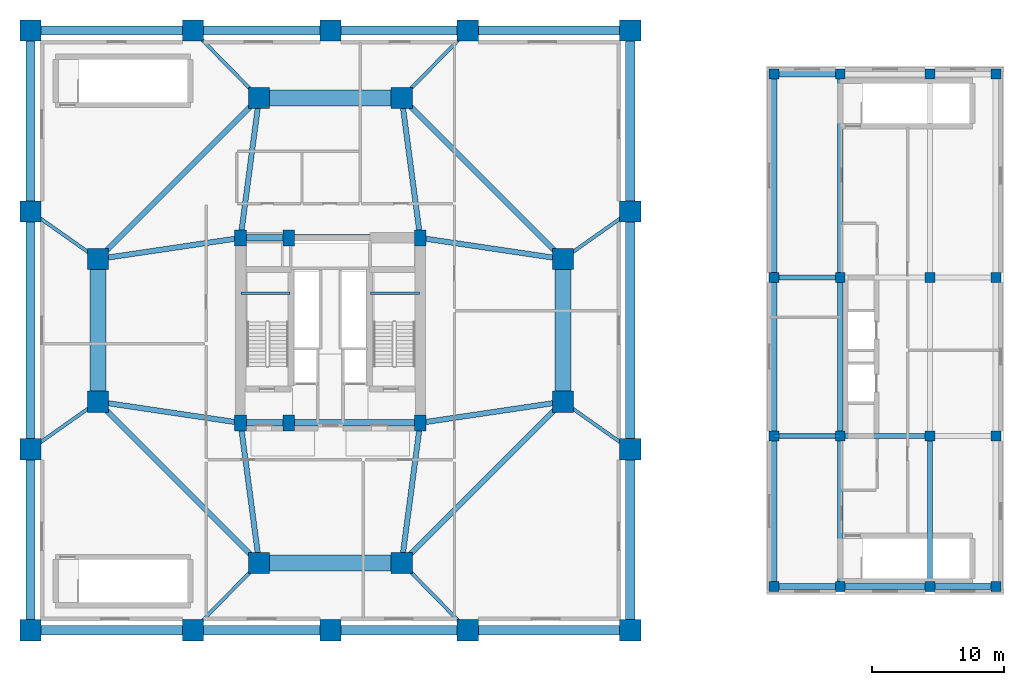
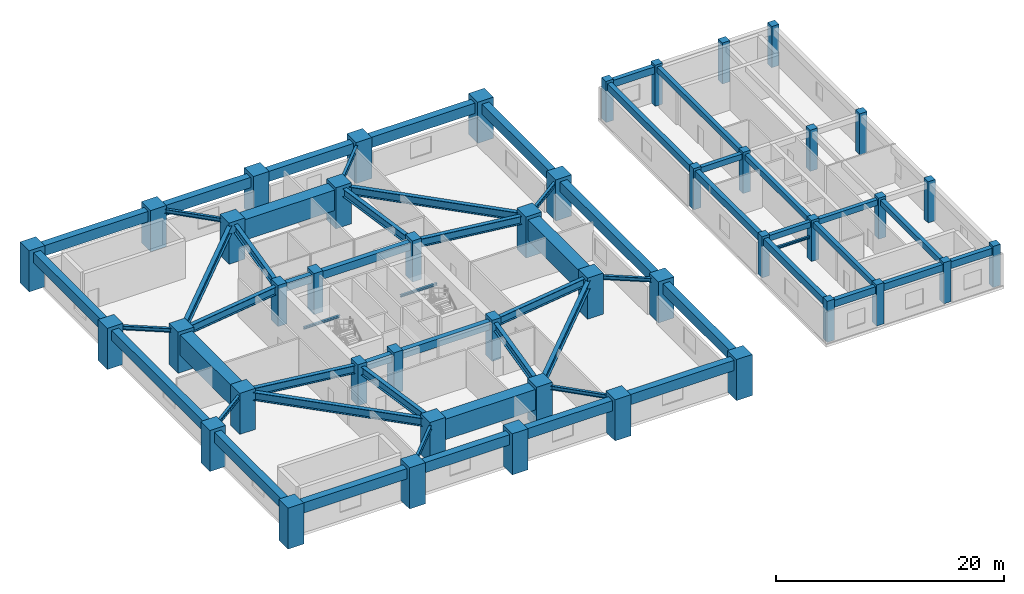
# One storey, part 1 of 8: 59 beams, 44 columns.
"""IFC4 building model written with IfcOpenShell, lengths in metres."""

from ifc_helpers import new_model, si_unit, direction, frame, origin, origin_2d, place, context, subcontext, project, spatial, rectangle, i_section, extrude, material, material_profile, profile_set, type_object, element, save


model = new_model("IFC4")

# Units and contexts
model_context = context("Model", 3, precision=1e-05, world=origin(), true_north=direction((0.0, 1.0)))
body_context = subcontext(model_context, "Body", "Model", "MODEL_VIEW")
ifc_project = project(units=[si_unit("LENGTHUNIT", "METRE"), si_unit("AREAUNIT", "SQUARE_METRE"), si_unit("VOLUMEUNIT", "CUBIC_METRE"), si_unit("PLANEANGLEUNIT", "RADIAN"), si_unit("MASSUNIT", "GRAM", prefix="KILO")], contexts=[model_context])

# Site, building, storey
site_placement = place(None, origin())
site = spatial("IfcSite", under=ifc_project, at=site_placement, CompositionType="ELEMENT")
building_placement = place(site_placement, origin())
building = spatial("IfcBuilding", under=site, at=building_placement, Name="Veraguas Prism Commons", CompositionType="ELEMENT")
storey_placement = place(building_placement, frame((0.0, 0.0, 18.39990234375)))
storey = spatial("IfcBuildingStorey", under=building, at=storey_placement, Name="L04", CompositionType="ELEMENT", Elevation=18.39990234375)

# Columns
ifc_material_1 = material(Name="Concrete C50/60", Category="concrete")
ifc_material_profile_1 = material_profile(ifc_material_1, rectangle(XDim=0.75, YDim=0.75, at=origin_2d()), Name="RC750X750")
ifc_profile_set_1 = profile_set([ifc_material_profile_1], Name="Concrete C50/60")
column_type_1 = type_object("IfcColumnType", Name="Column Clinic RC 750x750", PredefinedType="COLUMN", material=ifc_profile_set_1)
for number, where, z_axis, x_axis, name in (
    (1, (57.60009765625, 4.60009765625, 0.0), (0.0, 0.0, 1.0), (1.0, 0.0, 0.0), "Health Centre Column L04-HC01"),
    (2, (57.60009765625, 16.0, 0.0), (0.0, 0.0, 1.0), (1.0, 0.0, 0.0), "Health Centre Column L04-HC02"),
    (3, (57.60009765625, 28.0, 0.0), (0.0, 0.0, 1.0), (1.0, 0.0, 0.0), "Health Centre Column L04-HC03"),
    (4, (57.60009765625, 43.39990234375, 0.0), (0.0, 0.0, 1.0), (1.0, 0.0, 0.0), "Health Centre Column L04-HC04"),
    (5, (62.60009765625, 4.60009765625, 0.0), (0.0, 0.0, 1.0), (1.0, 0.0, 0.0), "Health Centre Column L04-HC05"),
    (6, (62.60009765625, 16.0, 0.0), (0.0, 0.0, 1.0), (1.0, 0.0, 0.0), "Health Centre Column L04-HC06"),
    (7, (62.60009765625, 28.0, 0.0), (0.0, 0.0, 1.0), (1.0, 0.0, 0.0), "Health Centre Column L04-HC07"),
    (8, (62.60009765625, 43.39990234375, 0.0), (0.0, 0.0, 1.0), (1.0, 0.0, 0.0), "Health Centre Column L04-HC08"),
    (9, (69.39990234375, 4.60009765625, 0.0), (0.0, 0.0, 1.0), (1.0, 0.0, 0.0), "Health Centre Column L04-HC09"),
    (10, (69.39990234375, 16.0, 0.0), (0.0, 0.0, 1.0), (1.0, 0.0, 0.0), "Health Centre Column L04-HC10"),
    (11, (69.39990234375, 28.0, 0.0), (0.0, 0.0, 1.0), (1.0, 0.0, 0.0), "Health Centre Column L04-HC11"),
    (12, (69.39990234375, 43.39990234375, 0.0), (0.0, 0.0, 1.0), (1.0, 0.0, 0.0), "Health Centre Column L04-HC12"),
    (13, (74.39990234375, 4.60009765625, 0.0), (0.0, 0.0, 1.0), (1.0, 0.0, 0.0), "Health Centre Column L04-HC13"),
    (14, (74.39990234375, 16.0, 0.0), (0.0, 0.0, 1.0), (1.0, 0.0, 0.0), "Health Centre Column L04-HC14"),
    (15, (74.39990234375, 28.0, 0.0), (0.0, 0.0, 1.0), (1.0, 0.0, 0.0), "Health Centre Column L04-HC15"),
    (16, (74.39990234375, 43.39990234375, 0.0), (0.0, 0.0, 1.0), (1.0, 0.0, 0.0), "Health Centre Column L04-HC16"),
):
    element("IfcColumn", number, at=place(storey_placement, frame(where, z_axis=z_axis, x_axis=x_axis)), inside=storey, type_object=column_type_1, Name=name, PredefinedType="COLUMN", context=body_context, shape_type="SweptSolid", body=[
        extrude(rectangle(XDim=0.75, YDim=0.75, at=origin_2d()), origin(), (0.0, 0.0, 1.0), 4.400146484375),
    ])
ifc_material_2 = material(Name="Concrete C60/75", Category="concrete")
ifc_material_profile_2 = material_profile(ifc_material_2, rectangle(XDim=1.60009765625, YDim=1.60009765625, at=origin_2d()), Name="RC1600X1600")
ifc_profile_set_2 = profile_set([ifc_material_profile_2], Name="Concrete C60/75")
column_type_2 = type_object("IfcColumnType", Name="Column Mega RC 1600x1600", PredefinedType="COLUMN", material=ifc_profile_set_2)
for number, where, z_axis, x_axis, name in (
    (17, (1.300048828125, 1.300048828125, 0.0), (0.0, 0.0, 1.0), (1.0, 0.0, 0.0), "Podium Mega Column L04-PD01"),
    (18, (13.60009765625, 1.300048828125, 0.0), (0.0, 0.0, 1.0), (1.0, 0.0, 0.0), "Podium Mega Column L04-PD02"),
    (19, (24.0, 1.300048828125, 0.0), (0.0, 0.0, 1.0), (1.0, 0.0, 0.0), "Podium Mega Column L04-PD03"),
    (20, (34.39990234375, 1.300048828125, 0.0), (0.0, 0.0, 1.0), (1.0, 0.0, 0.0), "Podium Mega Column L04-PD04"),
    (21, (46.699951171875, 1.300048828125, 0.0), (0.0, 0.0, 1.0), (1.0, 0.0, 0.0), "Podium Mega Column L04-PD05"),
    (22, (1.300048828125, 15.0, 0.0), (0.0, 0.0, 1.0), (1.0, 0.0, 0.0), "Podium Mega Column L04-PD06"),
    (23, (46.699951171875, 15.0, 0.0), (0.0, 0.0, 1.0), (1.0, 0.0, 0.0), "Podium Mega Column L04-PD07"),
    (24, (1.300048828125, 33.0, 0.0), (0.0, 0.0, 1.0), (1.0, 0.0, 0.0), "Podium Mega Column L04-PD08"),
    (25, (46.699951171875, 33.0, 0.0), (0.0, 0.0, 1.0), (1.0, 0.0, 0.0), "Podium Mega Column L04-PD09"),
    (26, (1.300048828125, 46.699951171875, 0.0), (0.0, 0.0, 1.0), (1.0, 0.0, 0.0), "Podium Mega Column L04-PD10"),
    (27, (13.60009765625, 46.699951171875, 0.0), (0.0, 0.0, 1.0), (1.0, 0.0, 0.0), "Podium Mega Column L04-PD11"),
    (28, (24.0, 46.699951171875, 0.0), (0.0, 0.0, 1.0), (1.0, 0.0, 0.0), "Podium Mega Column L04-PD12"),
    (29, (34.39990234375, 46.699951171875, 0.0), (0.0, 0.0, 1.0), (1.0, 0.0, 0.0), "Podium Mega Column L04-PD13"),
    (30, (46.699951171875, 46.699951171875, 0.0), (0.0, 0.0, 1.0), (1.0, 0.0, 0.0), "Podium Mega Column L04-PD14"),
    (31, (41.60009765625, 18.60009765625, 0.0), (0.0, 0.0, 1.0), (1.0, 0.0, 0.0), "Tower Mega Column L04-TM01"),
    (32, (41.60009765625, 29.39990234375, 0.0), (0.0, 0.0, 1.0), (1.0, 0.0, 0.0), "Tower Mega Column L04-TM02"),
    (33, (29.39990234375, 41.60009765625, 0.0), (0.0, 0.0, 1.0), (1.0, 0.0, 0.0), "Tower Mega Column L04-TM03"),
    (34, (18.60009765625, 41.60009765625, 0.0), (0.0, 0.0, 1.0), (1.0, 0.0, 0.0), "Tower Mega Column L04-TM04"),
    (35, (6.39990234375, 29.39990234375, 0.0), (0.0, 0.0, 1.0), (1.0, 0.0, 0.0), "Tower Mega Column L04-TM05"),
    (36, (6.39990234375, 18.60009765625, 0.0), (0.0, 0.0, 1.0), (1.0, 0.0, 0.0), "Tower Mega Column L04-TM06"),
    (37, (18.60009765625, 6.39990234375, 0.0), (0.0, 0.0, 1.0), (1.0, 0.0, 0.0), "Tower Mega Column L04-TM07"),
    (38, (29.39990234375, 6.39990234375, 0.0), (0.0, 0.0, 1.0), (1.0, 0.0, 0.0), "Tower Mega Column L04-TM08"),
):
    element("IfcColumn", number, at=place(storey_placement, frame(where, z_axis=z_axis, x_axis=x_axis)), inside=storey, type_object=column_type_2, Name=name, PredefinedType="COLUMN", context=body_context, shape_type="SweptSolid", body=[
        extrude(rectangle(XDim=1.60009765625, YDim=1.60009765625, at=origin_2d()), origin(), (0.0, 0.0, 1.0), 4.400146484375),
    ])
ifc_material_profile_3 = material_profile(ifc_material_2, rectangle(XDim=0.89990234375, YDim=1.199951171875, at=origin_2d()), Name="RC900X1200")
ifc_profile_set_3 = profile_set([ifc_material_profile_3], Name="Concrete C60/75")
column_type_3 = type_object("IfcColumnType", Name="Pilaster Core Lower RC 900x1200", PredefinedType="PILASTER", material=ifc_profile_set_3)
for number, where, z_axis, x_axis, name in (
    (39, (17.199951171875, 17.0, 0.0), (0.0, 0.0, 1.0), (1.0, 0.0, 0.0), "Core Pilaster Column L04-CR1"),
    (40, (20.85009765625, 17.0, 0.0), (0.0, 0.0, 1.0), (1.0, 0.0, 0.0), "Core Pilaster Column L04-CR2"),
    (41, (30.800048828125, 17.0, 0.0), (0.0, 0.0, 1.0), (1.0, 0.0, 0.0), "Core Pilaster Column L04-CR3"),
    (42, (17.199951171875, 31.0, 0.0), (0.0, 0.0, 1.0), (1.0, 0.0, 0.0), "Core Pilaster Column L04-CR4"),
    (43, (20.85009765625, 31.0, 0.0), (0.0, 0.0, 1.0), (1.0, 0.0, 0.0), "Core Pilaster Column L04-CR5"),
    (44, (30.800048828125, 31.0, 0.0), (0.0, 0.0, 1.0), (1.0, 0.0, 0.0), "Core Pilaster Column L04-CR6"),
):
    element("IfcColumn", number, at=place(storey_placement, frame(where, z_axis=z_axis, x_axis=x_axis)), inside=storey, type_object=column_type_3, Name=name, PredefinedType="PILASTER", context=body_context, shape_type="SweptSolid", body=[
        extrude(rectangle(XDim=0.89990234375, YDim=1.199951171875, at=origin_2d()), origin(), (0.0, 0.0, 1.0), 4.400146484375),
    ])

# Beams
ifc_material_profile_4 = material_profile(ifc_material_1, rectangle(XDim=0.39990234375, YDim=0.60009765625, at=origin_2d()), Name="RC400X600")
ifc_profile_set_4 = profile_set([ifc_material_profile_4], Name="Concrete C50/60")
beam_type_1 = type_object("IfcBeamType", Name="Clinic Secondary Beam RC 400x600", PredefinedType="BEAM", material=ifc_profile_set_4)
beam_1_placement = place(storey_placement, frame((57.60009765625, 16.0, 3.840087890625), z_axis=(1.0, 0.0, 0.0), x_axis=(0.0, 1.0, 0.0)))
element("IfcBeam", 45, at=beam_1_placement, inside=storey, type_object=beam_type_1, Name="Health Centre Beam L04-HCX04", PredefinedType="BEAM", context=body_context, shape_type="SweptSolid", body=[
    extrude(rectangle(XDim=0.39990234375, YDim=0.60009765625, at=origin_2d()), origin(), (0.0, 0.0, 1.0), 5.0),
])
beam_2_placement = place(storey_placement, frame((62.60009765625, 16.0, 3.840087890625), z_axis=(1.0, 0.0, 0.0), x_axis=(0.0, 1.0, 0.0)))
element("IfcBeam", 46, at=beam_2_placement, inside=storey, type_object=beam_type_1, Name="Health Centre Beam L04-HCX05", PredefinedType="BEAM", context=body_context, shape_type="SweptSolid", body=[
    extrude(rectangle(XDim=0.39990234375, YDim=0.60009765625, at=origin_2d()), origin(), (0.0, 0.0, 1.0), 6.7998046875),
])
beam_3_placement = place(storey_placement, frame((57.60009765625, 28.0, 3.840087890625), z_axis=(1.0, 0.0, 0.0), x_axis=(0.0, 1.0, 0.0)))
element("IfcBeam", 47, at=beam_3_placement, inside=storey, type_object=beam_type_1, Name="Health Centre Beam L04-HCX07", PredefinedType="BEAM", context=body_context, shape_type="SweptSolid", body=[
    extrude(rectangle(XDim=0.39990234375, YDim=0.60009765625, at=origin_2d()), origin(), (0.0, 0.0, 1.0), 5.0),
])
beam_4_placement = place(storey_placement, frame((62.60009765625, 4.60009765625, 3.840087890625), z_axis=(0.0, 1.0, 0.0), x_axis=(-1.0, 0.0, 0.0)))
element("IfcBeam", 48, at=beam_4_placement, inside=storey, type_object=beam_type_1, Name="Health Centre Beam L04-HCY16", PredefinedType="BEAM", context=body_context, shape_type="SweptSolid", body=[
    extrude(rectangle(XDim=0.39990234375, YDim=0.60009765625, at=origin_2d()), origin(), (0.0, 0.0, 1.0), 11.39990234375),
])
beam_5_placement = place(storey_placement, frame((62.60009765625, 16.0, 3.840087890625), z_axis=(0.0, 1.0, 0.0), x_axis=(-1.0, 0.0, 0.0)))
element("IfcBeam", 49, at=beam_5_placement, inside=storey, type_object=beam_type_1, Name="Health Centre Beam L04-HCY17", PredefinedType="BEAM", context=body_context, shape_type="SweptSolid", body=[
    extrude(rectangle(XDim=0.39990234375, YDim=0.60009765625, at=origin_2d()), origin(), (0.0, 0.0, 1.0), 12.0),
])
beam_6_placement = place(storey_placement, frame((62.60009765625, 28.0, 3.840087890625), z_axis=(0.0, 1.0, 0.0), x_axis=(-1.0, 0.0, 0.0)))
element("IfcBeam", 50, at=beam_6_placement, inside=storey, type_object=beam_type_1, Name="Health Centre Beam L04-HCY18", PredefinedType="BEAM", context=body_context, shape_type="SweptSolid", body=[
    extrude(rectangle(XDim=0.39990234375, YDim=0.60009765625, at=origin_2d()), origin(), (0.0, 0.0, 1.0), 15.39990234375),
])
beam_7_placement = place(storey_placement, frame((69.39990234375, 4.60009765625, 3.840087890625), z_axis=(0.0, 1.0, 0.0), x_axis=(-1.0, 0.0, 0.0)))
element("IfcBeam", 51, at=beam_7_placement, inside=storey, type_object=beam_type_1, Name="Health Centre Beam L04-HCY19", PredefinedType="BEAM", context=body_context, shape_type="SweptSolid", body=[
    extrude(rectangle(XDim=0.39990234375, YDim=0.60009765625, at=origin_2d()), origin(), (0.0, 0.0, 1.0), 11.39990234375),
])
ifc_material_3 = material(Name="Steel ASTM A992 Grade 50", Category="steel")
ifc_material_profile_5 = material_profile(ifc_material_3, i_section(OverallWidth=0.403076171875, OverallDepth=0.867919921875, WebThickness=0.02099609375, FlangeThickness=0.03564453125, at=origin_2d()), Name="W840X359")
ifc_profile_set_5 = profile_set([ifc_material_profile_5], Name="Steel ASTM A992 Grade 50")
beam_type_2 = type_object("IfcBeamType", Name="Concourse Primary Girder W840x359", PredefinedType="BEAM", material=ifc_profile_set_5)
for number, where, z_axis, x_axis, name in (
    (52, (41.60009765625, 18.60009765625, 3.6162109375), (-0.989202261707, -0.146556765224, 0.0), (0.146556765224, -0.989202261707, 0.0), "Concourse Radial Girder L04-TMR01"),
    (53, (41.60009765625, 29.39990234375, 3.6162109375), (-0.989202261707, 0.146556765224, 0.0), (-0.146556765224, -0.989202261707, 0.0), "Concourse Radial Girder L04-TMR02"),
):
    element("IfcBeam", number, at=place(storey_placement, frame(where, z_axis=z_axis, x_axis=x_axis)), inside=storey, type_object=beam_type_2, Name=name, PredefinedType="BEAM", context=body_context, shape_type="SweptSolid", body=[
        extrude(i_section(OverallWidth=0.403076171875, OverallDepth=0.867919921875, WebThickness=0.02099609375, FlangeThickness=0.03564453125, at=origin_2d()), origin(), (0.0, 0.0, 1.0), 10.91796875),
    ])
for number, where, z_axis, x_axis, name in (
    (54, (29.39990234375, 41.60009765625, 3.6162109375), (0.130950648891, -0.991388888154, 0.0), (0.991388888154, 0.130950648891, 0.0), "Concourse Radial Girder L04-TMR03"),
    (55, (18.60009765625, 41.60009765625, 3.6162109375), (-0.130950648891, -0.991388888154, 0.0), (0.991388888154, -0.130950648891, 0.0), "Concourse Radial Girder L04-TMR04"),
):
    element("IfcBeam", number, at=place(storey_placement, frame(where, z_axis=z_axis, x_axis=x_axis)), inside=storey, type_object=beam_type_2, Name=name, PredefinedType="BEAM", context=body_context, shape_type="SweptSolid", body=[
        extrude(i_section(OverallWidth=0.403076171875, OverallDepth=0.867919921875, WebThickness=0.02099609375, FlangeThickness=0.03564453125, at=origin_2d()), origin(), (0.0, 0.0, 1.0), 10.692138671875),
    ])
for number, where, z_axis, x_axis, name in (
    (56, (6.39990234375, 29.39990234375, 3.6162109375), (0.989202261707, 0.146556765224, 0.0), (-0.146556765224, 0.989202261707, 0.0), "Concourse Radial Girder L04-TMR05"),
    (57, (6.39990234375, 18.60009765625, 3.6162109375), (0.989202261707, -0.146556765224, 0.0), (0.146556765224, 0.989202261707, 0.0), "Concourse Radial Girder L04-TMR06"),
):
    element("IfcBeam", number, at=place(storey_placement, frame(where, z_axis=z_axis, x_axis=x_axis)), inside=storey, type_object=beam_type_2, Name=name, PredefinedType="BEAM", context=body_context, shape_type="SweptSolid", body=[
        extrude(i_section(OverallWidth=0.403076171875, OverallDepth=0.867919921875, WebThickness=0.02099609375, FlangeThickness=0.03564453125, at=origin_2d()), origin(), (0.0, 0.0, 1.0), 10.91796875),
    ])
for number, where, z_axis, x_axis, name in (
    (58, (18.60009765625, 6.39990234375, 3.6162109375), (-0.130950648891, 0.991388888154, 0.0), (-0.991388888154, -0.130950648891, 0.0), "Concourse Radial Girder L04-TMR07"),
    (59, (29.39990234375, 6.39990234375, 3.6162109375), (0.130950648891, 0.991388888154, 0.0), (-0.991388888154, 0.130950648891, 0.0), "Concourse Radial Girder L04-TMR08"),
):
    element("IfcBeam", number, at=place(storey_placement, frame(where, z_axis=z_axis, x_axis=x_axis)), inside=storey, type_object=beam_type_2, Name=name, PredefinedType="BEAM", context=body_context, shape_type="SweptSolid", body=[
        extrude(i_section(OverallWidth=0.403076171875, OverallDepth=0.867919921875, WebThickness=0.02099609375, FlangeThickness=0.03564453125, at=origin_2d()), origin(), (0.0, 0.0, 1.0), 10.692138671875),
    ])
for number, where, z_axis, x_axis, name in (
    (60, (41.60009765625, 29.39990234375, 3.6162109375), (-0.707106781187, 0.707106781187, 0.0), (-0.707106781187, -0.707106781187, 0.0), "Podium Corner Chord Girder 01"),
    (61, (18.60009765625, 41.60009765625, 3.6162109375), (-0.707106781187, -0.707106781187, 0.0), (0.707106781187, -0.707106781187, 0.0), "Podium Corner Chord Girder 02"),
    (62, (6.39990234375, 18.60009765625, 3.6162109375), (0.707106781187, -0.707106781187, 0.0), (0.707106781187, 0.707106781187, 0.0), "Podium Corner Chord Girder 03"),
    (63, (29.39990234375, 6.39990234375, 3.6162109375), (0.707106781187, 0.707106781187, 0.0), (-0.707106781187, 0.707106781187, 0.0), "Podium Corner Chord Girder 04"),
):
    element("IfcBeam", number, at=place(storey_placement, frame(where, z_axis=z_axis, x_axis=x_axis)), inside=storey, type_object=beam_type_2, Name=name, PredefinedType="BEAM", context=body_context, shape_type="SweptSolid", body=[
        extrude(i_section(OverallWidth=0.403076171875, OverallDepth=0.867919921875, WebThickness=0.02099609375, FlangeThickness=0.03564453125, at=origin_2d()), origin(), (0.0, 0.0, 1.0), 17.253662109375),
    ])
ifc_material_profile_6 = material_profile(ifc_material_1, rectangle(XDim=0.5, YDim=0.85009765625, at=origin_2d()), Name="RC500X850")
ifc_profile_set_6 = profile_set([ifc_material_profile_6], Name="Concrete C50/60")
beam_type_3 = type_object("IfcBeamType", Name="Core Coupling Beam RC 500x850", PredefinedType="BEAM", material=ifc_profile_set_6)
beam_8_placement = place(storey_placement, frame((17.199951171875, 17.0, 3.625), z_axis=(1.0, 0.0, 0.0), x_axis=(0.0, 1.0, 0.0)))
element("IfcBeam", 64, at=beam_8_placement, inside=storey, type_object=beam_type_3, Name="Core Coupling Beam L04-CRS1", PredefinedType="BEAM", context=body_context, shape_type="SweptSolid", body=[
    extrude(rectangle(XDim=0.5, YDim=0.85009765625, at=origin_2d()), origin(), (0.0, 0.0, 1.0), 3.650146484375),
])
beam_9_placement = place(storey_placement, frame((20.85009765625, 17.0, 3.625), z_axis=(1.0, 0.0, 0.0), x_axis=(0.0, 1.0, 0.0)))
element("IfcBeam", 65, at=beam_9_placement, inside=storey, type_object=beam_type_3, Name="Core Coupling Beam L04-CRS2", PredefinedType="BEAM", context=body_context, shape_type="SweptSolid", body=[
    extrude(rectangle(XDim=0.5, YDim=0.85009765625, at=origin_2d()), origin(), (0.0, 0.0, 1.0), 9.949951171875),
])
beam_10_placement = place(storey_placement, frame((17.199951171875, 31.0, 3.625), z_axis=(1.0, 0.0, 0.0), x_axis=(0.0, 1.0, 0.0)))
element("IfcBeam", 66, at=beam_10_placement, inside=storey, type_object=beam_type_3, Name="Core Coupling Beam L04-CRN1", PredefinedType="BEAM", context=body_context, shape_type="SweptSolid", body=[
    extrude(rectangle(XDim=0.5, YDim=0.85009765625, at=origin_2d()), origin(), (0.0, 0.0, 1.0), 3.650146484375),
])
beam_11_placement = place(storey_placement, frame((20.85009765625, 31.0, 3.625), z_axis=(1.0, 0.0, 0.0), x_axis=(0.0, 1.0, 0.0)))
element("IfcBeam", 67, at=beam_11_placement, inside=storey, type_object=beam_type_3, Name="Core Coupling Beam L04-CRN2", PredefinedType="BEAM", context=body_context, shape_type="SweptSolid", body=[
    extrude(rectangle(XDim=0.5, YDim=0.85009765625, at=origin_2d()), origin(), (0.0, 0.0, 1.0), 9.949951171875),
])
ifc_material_profile_7 = material_profile(ifc_material_3, i_section(OverallWidth=0.260986328125, OverallDepth=0.419921875, WebThickness=0.01171875, FlangeThickness=0.019287109375, at=origin_2d()), Name="W410X114")
ifc_profile_set_7 = profile_set([ifc_material_profile_7], Name="Steel ASTM A992 Grade 50")
beam_type_4 = type_object("IfcBeamType", Name="Lower Floor Joist W410x114", PredefinedType="JOIST", material=ifc_profile_set_7)
for number, where, z_axis, x_axis, name in (
    (68, (41.60009765625, 18.60009765625, 3.840087890625), (0.816952688962, -0.576704693927, 0.0), (0.576704693927, 0.816952688962, 0.0), "Podium Tie Beam L04-TMT01"),
    (69, (41.60009765625, 29.39990234375, 3.840087890625), (0.816952688962, 0.576704693927, 0.0), (-0.576704693927, 0.816952688962, 0.0), "Podium Tie Beam L04-TMT02"),
):
    element("IfcBeam", number, at=place(storey_placement, frame(where, z_axis=z_axis, x_axis=x_axis)), inside=storey, type_object=beam_type_4, Name=name, PredefinedType="JOIST", context=body_context, shape_type="SweptSolid", body=[
        extrude(i_section(OverallWidth=0.260986328125, OverallDepth=0.419921875, WebThickness=0.01171875, FlangeThickness=0.019287109375, at=origin_2d()), origin(), (0.0, 0.0, 1.0), 6.242431640625),
    ])
for number, where, z_axis, x_axis, name in (
    (70, (29.39990234375, 41.60009765625, 3.840087890625), (0.700081663946, 0.71406278702, 0.0), (-0.71406278702, 0.700081663946, 0.0), "Podium Tie Beam L04-TMT03"),
    (71, (18.60009765625, 41.60009765625, 3.840087890625), (-0.700081663946, 0.71406278702, 0.0), (-0.71406278702, -0.700081663946, 0.0), "Podium Tie Beam L04-TMT04"),
):
    element("IfcBeam", number, at=place(storey_placement, frame(where, z_axis=z_axis, x_axis=x_axis)), inside=storey, type_object=beam_type_4, Name=name, PredefinedType="JOIST", context=body_context, shape_type="SweptSolid", body=[
        extrude(i_section(OverallWidth=0.260986328125, OverallDepth=0.419921875, WebThickness=0.01171875, FlangeThickness=0.019287109375, at=origin_2d()), origin(), (0.0, 0.0, 1.0), 7.14208984375),
    ])
for number, where, z_axis, x_axis, name in (
    (72, (6.39990234375, 29.39990234375, 3.840087890625), (-0.816952688962, 0.576704693927, 0.0), (-0.576704693927, -0.816952688962, 0.0), "Podium Tie Beam L04-TMT05"),
    (73, (6.39990234375, 18.60009765625, 3.840087890625), (-0.816952688962, -0.576704693927, 0.0), (0.576704693927, -0.816952688962, 0.0), "Podium Tie Beam L04-TMT06"),
):
    element("IfcBeam", number, at=place(storey_placement, frame(where, z_axis=z_axis, x_axis=x_axis)), inside=storey, type_object=beam_type_4, Name=name, PredefinedType="JOIST", context=body_context, shape_type="SweptSolid", body=[
        extrude(i_section(OverallWidth=0.260986328125, OverallDepth=0.419921875, WebThickness=0.01171875, FlangeThickness=0.019287109375, at=origin_2d()), origin(), (0.0, 0.0, 1.0), 6.242431640625),
    ])
for number, where, z_axis, x_axis, name in (
    (74, (18.60009765625, 6.39990234375, 3.840087890625), (-0.700081663946, -0.71406278702, 0.0), (0.71406278702, -0.700081663946, 0.0), "Podium Tie Beam L04-TMT07"),
    (75, (29.39990234375, 6.39990234375, 3.840087890625), (0.700081663946, -0.71406278702, 0.0), (0.71406278702, 0.700081663946, 0.0), "Podium Tie Beam L04-TMT08"),
):
    element("IfcBeam", number, at=place(storey_placement, frame(where, z_axis=z_axis, x_axis=x_axis)), inside=storey, type_object=beam_type_4, Name=name, PredefinedType="JOIST", context=body_context, shape_type="SweptSolid", body=[
        extrude(i_section(OverallWidth=0.260986328125, OverallDepth=0.419921875, WebThickness=0.01171875, FlangeThickness=0.019287109375, at=origin_2d()), origin(), (0.0, 0.0, 1.0), 7.14208984375),
    ])
ifc_material_profile_8 = material_profile(ifc_material_1, rectangle(XDim=0.449951171875, YDim=0.75, at=origin_2d()), Name="RC450X750")
ifc_profile_set_8 = profile_set([ifc_material_profile_8], Name="Concrete C50/60")
beam_type_5 = type_object("IfcBeamType", Name="Perimeter Spandrel Upper RC 450x750", PredefinedType="SPANDREL", material=ifc_profile_set_8)
beam_12_placement = place(storey_placement, frame((57.60009765625, 4.60009765625, 3.76513671875), z_axis=(1.0, 0.0, 0.0), x_axis=(0.0, 1.0, 0.0)))
element("IfcBeam", 76, at=beam_12_placement, inside=storey, type_object=beam_type_5, Name="Health Centre Beam L04-HCX01", PredefinedType="SPANDREL", context=body_context, shape_type="SweptSolid", body=[
    extrude(rectangle(XDim=0.449951171875, YDim=0.75, at=origin_2d()), origin(), (0.0, 0.0, 1.0), 5.0),
])
beam_13_placement = place(storey_placement, frame((62.60009765625, 4.60009765625, 3.76513671875), z_axis=(1.0, 0.0, 0.0), x_axis=(0.0, 1.0, 0.0)))
element("IfcBeam", 77, at=beam_13_placement, inside=storey, type_object=beam_type_5, Name="Health Centre Beam L04-HCX02", PredefinedType="SPANDREL", context=body_context, shape_type="SweptSolid", body=[
    extrude(rectangle(XDim=0.449951171875, YDim=0.75, at=origin_2d()), origin(), (0.0, 0.0, 1.0), 6.7998046875),
])
for number, where, z_axis, x_axis, name in (
    (78, (69.39990234375, 4.60009765625, 3.76513671875), (1.0, 0.0, 0.0), (0.0, 1.0, 0.0), "Health Centre Beam L04-HCX03"),
    (79, (57.60009765625, 43.39990234375, 3.76513671875), (1.0, 0.0, 0.0), (0.0, 1.0, 0.0), "Health Centre Beam L04-HCX10"),
):
    element("IfcBeam", number, at=place(storey_placement, frame(where, z_axis=z_axis, x_axis=x_axis)), inside=storey, type_object=beam_type_5, Name=name, PredefinedType="SPANDREL", context=body_context, shape_type="SweptSolid", body=[
        extrude(rectangle(XDim=0.449951171875, YDim=0.75, at=origin_2d()), origin(), (0.0, 0.0, 1.0), 5.0),
    ])
beam_14_placement = place(storey_placement, frame((57.60009765625, 4.60009765625, 3.76513671875), z_axis=(0.0, 1.0, 0.0), x_axis=(-1.0, 0.0, 0.0)))
element("IfcBeam", 80, at=beam_14_placement, inside=storey, type_object=beam_type_5, Name="Health Centre Beam L04-HCY13", PredefinedType="SPANDREL", context=body_context, shape_type="SweptSolid", body=[
    extrude(rectangle(XDim=0.449951171875, YDim=0.75, at=origin_2d()), origin(), (0.0, 0.0, 1.0), 11.39990234375),
])
beam_15_placement = place(storey_placement, frame((57.60009765625, 16.0, 3.76513671875), z_axis=(0.0, 1.0, 0.0), x_axis=(-1.0, 0.0, 0.0)))
element("IfcBeam", 81, at=beam_15_placement, inside=storey, type_object=beam_type_5, Name="Health Centre Beam L04-HCY14", PredefinedType="SPANDREL", context=body_context, shape_type="SweptSolid", body=[
    extrude(rectangle(XDim=0.449951171875, YDim=0.75, at=origin_2d()), origin(), (0.0, 0.0, 1.0), 12.0),
])
beam_16_placement = place(storey_placement, frame((57.60009765625, 28.0, 3.76513671875), z_axis=(0.0, 1.0, 0.0), x_axis=(-1.0, 0.0, 0.0)))
element("IfcBeam", 82, at=beam_16_placement, inside=storey, type_object=beam_type_5, Name="Health Centre Beam L04-HCY15", PredefinedType="SPANDREL", context=body_context, shape_type="SweptSolid", body=[
    extrude(rectangle(XDim=0.449951171875, YDim=0.75, at=origin_2d()), origin(), (0.0, 0.0, 1.0), 15.39990234375),
])
ifc_material_profile_9 = material_profile(ifc_material_1, rectangle(XDim=0.699951171875, YDim=1.10009765625, at=origin_2d()), Name="RC700X1100")
ifc_profile_set_9 = profile_set([ifc_material_profile_9], Name="Concrete C50/60")
beam_type_6 = type_object("IfcBeamType", Name="Podium Primary Girder RC 700x1100", PredefinedType="BEAM", material=ifc_profile_set_9)
beam_17_placement = place(storey_placement, frame((1.300048828125, 1.300048828125, 3.5), z_axis=(1.0, 0.0, 0.0), x_axis=(0.0, 1.0, 0.0)))
element("IfcBeam", 83, at=beam_17_placement, inside=storey, type_object=beam_type_6, Name="Podium Perimeter Girder L04-PDR01", PredefinedType="BEAM", context=body_context, shape_type="SweptSolid", body=[
    extrude(rectangle(XDim=0.699951171875, YDim=1.10009765625, at=origin_2d()), origin(), (0.0, 0.0, 1.0), 12.300048828125),
])
for number, where, z_axis, x_axis, name in (
    (84, (13.60009765625, 1.300048828125, 3.5), (1.0, 0.0, 0.0), (0.0, 1.0, 0.0), "Podium Perimeter Girder L04-PDR02"),
    (85, (24.0, 1.300048828125, 3.5), (1.0, 0.0, 0.0), (0.0, 1.0, 0.0), "Podium Perimeter Girder L04-PDR03"),
):
    element("IfcBeam", number, at=place(storey_placement, frame(where, z_axis=z_axis, x_axis=x_axis)), inside=storey, type_object=beam_type_6, Name=name, PredefinedType="BEAM", context=body_context, shape_type="SweptSolid", body=[
        extrude(rectangle(XDim=0.699951171875, YDim=1.10009765625, at=origin_2d()), origin(), (0.0, 0.0, 1.0), 10.39990234375),
    ])
beam_18_placement = place(storey_placement, frame((34.39990234375, 1.300048828125, 3.5), z_axis=(1.0, 0.0, 0.0), x_axis=(0.0, 1.0, 0.0)))
element("IfcBeam", 86, at=beam_18_placement, inside=storey, type_object=beam_type_6, Name="Podium Perimeter Girder L04-PDR04", PredefinedType="BEAM", context=body_context, shape_type="SweptSolid", body=[
    extrude(rectangle(XDim=0.699951171875, YDim=1.10009765625, at=origin_2d()), origin(), (0.0, 0.0, 1.0), 12.300048828125),
])
beam_19_placement = place(storey_placement, frame((46.699951171875, 1.300048828125, 3.5), z_axis=(0.0, 1.0, 0.0), x_axis=(-1.0, 0.0, 0.0)))
element("IfcBeam", 87, at=beam_19_placement, inside=storey, type_object=beam_type_6, Name="Podium Perimeter Girder L04-PDR05", PredefinedType="BEAM", context=body_context, shape_type="SweptSolid", body=[
    extrude(rectangle(XDim=0.699951171875, YDim=1.10009765625, at=origin_2d()), origin(), (0.0, 0.0, 1.0), 13.699951171875),
])
beam_20_placement = place(storey_placement, frame((46.699951171875, 15.0, 3.5), z_axis=(0.0, 1.0, 0.0), x_axis=(-1.0, 0.0, 0.0)))
element("IfcBeam", 88, at=beam_20_placement, inside=storey, type_object=beam_type_6, Name="Podium Perimeter Girder L04-PDR06", PredefinedType="BEAM", context=body_context, shape_type="SweptSolid", body=[
    extrude(rectangle(XDim=0.699951171875, YDim=1.10009765625, at=origin_2d()), origin(), (0.0, 0.0, 1.0), 18.0),
])
beam_21_placement = place(storey_placement, frame((46.699951171875, 33.0, 3.5), z_axis=(0.0, 1.0, 0.0), x_axis=(-1.0, 0.0, 0.0)))
element("IfcBeam", 89, at=beam_21_placement, inside=storey, type_object=beam_type_6, Name="Podium Perimeter Girder L04-PDR07", PredefinedType="BEAM", context=body_context, shape_type="SweptSolid", body=[
    extrude(rectangle(XDim=0.699951171875, YDim=1.10009765625, at=origin_2d()), origin(), (0.0, 0.0, 1.0), 13.699951171875),
])
beam_22_placement = place(storey_placement, frame((46.699951171875, 46.699951171875, 3.5), z_axis=(-1.0, 0.0, 0.0), x_axis=(0.0, -1.0, 0.0)))
element("IfcBeam", 90, at=beam_22_placement, inside=storey, type_object=beam_type_6, Name="Podium Perimeter Girder L04-PDR08", PredefinedType="BEAM", context=body_context, shape_type="SweptSolid", body=[
    extrude(rectangle(XDim=0.699951171875, YDim=1.10009765625, at=origin_2d()), origin(), (0.0, 0.0, 1.0), 12.300048828125),
])
for number, where, z_axis, x_axis, name in (
    (91, (34.39990234375, 46.699951171875, 3.5), (-1.0, 0.0, 0.0), (0.0, -1.0, 0.0), "Podium Perimeter Girder L04-PDR09"),
    (92, (24.0, 46.699951171875, 3.5), (-1.0, 0.0, 0.0), (0.0, -1.0, 0.0), "Podium Perimeter Girder L04-PDR10"),
):
    element("IfcBeam", number, at=place(storey_placement, frame(where, z_axis=z_axis, x_axis=x_axis)), inside=storey, type_object=beam_type_6, Name=name, PredefinedType="BEAM", context=body_context, shape_type="SweptSolid", body=[
        extrude(rectangle(XDim=0.699951171875, YDim=1.10009765625, at=origin_2d()), origin(), (0.0, 0.0, 1.0), 10.39990234375),
    ])
beam_23_placement = place(storey_placement, frame((13.60009765625, 46.699951171875, 3.5), z_axis=(-1.0, 0.0, 0.0), x_axis=(0.0, -1.0, 0.0)))
element("IfcBeam", 93, at=beam_23_placement, inside=storey, type_object=beam_type_6, Name="Podium Perimeter Girder L04-PDR11", PredefinedType="BEAM", context=body_context, shape_type="SweptSolid", body=[
    extrude(rectangle(XDim=0.699951171875, YDim=1.10009765625, at=origin_2d()), origin(), (0.0, 0.0, 1.0), 12.300048828125),
])
beam_24_placement = place(storey_placement, frame((1.300048828125, 46.699951171875, 3.5), z_axis=(0.0, -1.0, 0.0), x_axis=(1.0, 0.0, 0.0)))
element("IfcBeam", 94, at=beam_24_placement, inside=storey, type_object=beam_type_6, Name="Podium Perimeter Girder L04-PDR12", PredefinedType="BEAM", context=body_context, shape_type="SweptSolid", body=[
    extrude(rectangle(XDim=0.699951171875, YDim=1.10009765625, at=origin_2d()), origin(), (0.0, 0.0, 1.0), 13.699951171875),
])
beam_25_placement = place(storey_placement, frame((1.300048828125, 33.0, 3.5), z_axis=(0.0, -1.0, 0.0), x_axis=(1.0, 0.0, 0.0)))
element("IfcBeam", 95, at=beam_25_placement, inside=storey, type_object=beam_type_6, Name="Podium Perimeter Girder L04-PDR13", PredefinedType="BEAM", context=body_context, shape_type="SweptSolid", body=[
    extrude(rectangle(XDim=0.699951171875, YDim=1.10009765625, at=origin_2d()), origin(), (0.0, 0.0, 1.0), 18.0),
])
beam_26_placement = place(storey_placement, frame((1.300048828125, 15.0, 3.5), z_axis=(0.0, -1.0, 0.0), x_axis=(1.0, 0.0, 0.0)))
element("IfcBeam", 96, at=beam_26_placement, inside=storey, type_object=beam_type_6, Name="Podium Perimeter Girder L04-PDR14", PredefinedType="BEAM", context=body_context, shape_type="SweptSolid", body=[
    extrude(rectangle(XDim=0.699951171875, YDim=1.10009765625, at=origin_2d()), origin(), (0.0, 0.0, 1.0), 13.699951171875),
])
ifc_material_profile_10 = material_profile(ifc_material_1, rectangle(XDim=1.199951171875, YDim=2.199951171875, at=origin_2d()), Name="RC1200X2200")
ifc_profile_set_10 = profile_set([ifc_material_profile_10], Name="Concrete C50/60")
beam_type_7 = type_object("IfcBeamType", Name="Podium Transfer Girder RC 1200x2200", PredefinedType="BEAM", material=ifc_profile_set_10)
for number, where, z_axis, x_axis, name in (
    (97, (41.60009765625, 18.60009765625, 2.9501953125), (0.0, 1.0, 0.0), (-1.0, 0.0, 0.0), "Podium Transfer Girder L04-01"),
    (98, (29.39990234375, 41.60009765625, 2.9501953125), (-1.0, 0.0, 0.0), (0.0, -1.0, 0.0), "Podium Transfer Girder L04-04"),
    (99, (6.39990234375, 29.39990234375, 2.9501953125), (0.0, -1.0, 0.0), (1.0, 0.0, 0.0), "Podium Transfer Girder L04-07"),
    (100, (18.60009765625, 6.39990234375, 2.9501953125), (1.0, 0.0, 0.0), (0.0, 1.0, 0.0), "Podium Transfer Girder L04-10"),
):
    element("IfcBeam", number, at=place(storey_placement, frame(where, z_axis=z_axis, x_axis=x_axis)), inside=storey, type_object=beam_type_7, Name=name, PredefinedType="BEAM", context=body_context, shape_type="SweptSolid", body=[
        extrude(rectangle(XDim=1.199951171875, YDim=2.199951171875, at=origin_2d()), origin(), (0.0, 0.0, 1.0), 10.7998046875),
    ])
ifc_material_profile_11 = material_profile(ifc_material_3, i_section(OverallWidth=0.202880859375, OverallDepth=0.251953125, WebThickness=0.008056640625, FlangeThickness=0.013427734375, at=origin_2d()), Name="W250X58")
ifc_profile_set_11 = profile_set([ifc_material_profile_11], Name="Steel ASTM A992 Grade 50")
beam_type_8 = type_object("IfcBeamType", Name="Structural Opening Lintel W250x58", PredefinedType="LINTEL", material=ifc_profile_set_11)
for number, where, z_axis, x_axis, name in (
    (101, (17.25, 26.800048828125, 1.8740234375), (1.0, 0.0, 0.0), (0.0, 1.0, 0.0), "Stair ST-01 Half-Landing Support Beam L04-1"),
    (102, (27.050048828125, 26.800048828125, 1.8740234375), (1.0, 0.0, 0.0), (0.0, 1.0, 0.0), "Stair ST-02 Half-Landing Support Beam L04-1"),
):
    element("IfcBeam", number, at=place(storey_placement, frame(where, z_axis=z_axis, x_axis=x_axis)), inside=storey, type_object=beam_type_8, Name=name, PredefinedType="LINTEL", context=body_context, shape_type="SweptSolid", body=[
        extrude(i_section(OverallWidth=0.202880859375, OverallDepth=0.251953125, WebThickness=0.008056640625, FlangeThickness=0.013427734375, at=origin_2d()), origin(), (0.0, 0.0, 1.0), 3.699951171875),
    ])
beam_27_placement = place(storey_placement, frame((57.60009765625, 16.0, 2.424072265625), z_axis=(1.0, 0.0, 0.0), x_axis=(0.0, 1.0, 0.0)))
element("IfcBeam", 103, at=beam_27_placement, inside=storey, type_object=beam_type_8, Name="Clinic Opening Lintel Beam L04-LN01", PredefinedType="LINTEL", context=body_context, shape_type="SweptSolid", body=[
    extrude(i_section(OverallWidth=0.202880859375, OverallDepth=0.251953125, WebThickness=0.008056640625, FlangeThickness=0.013427734375, at=origin_2d()), origin(), (0.0, 0.0, 1.0), 5.0),
])

save(model, "model.ifc")
